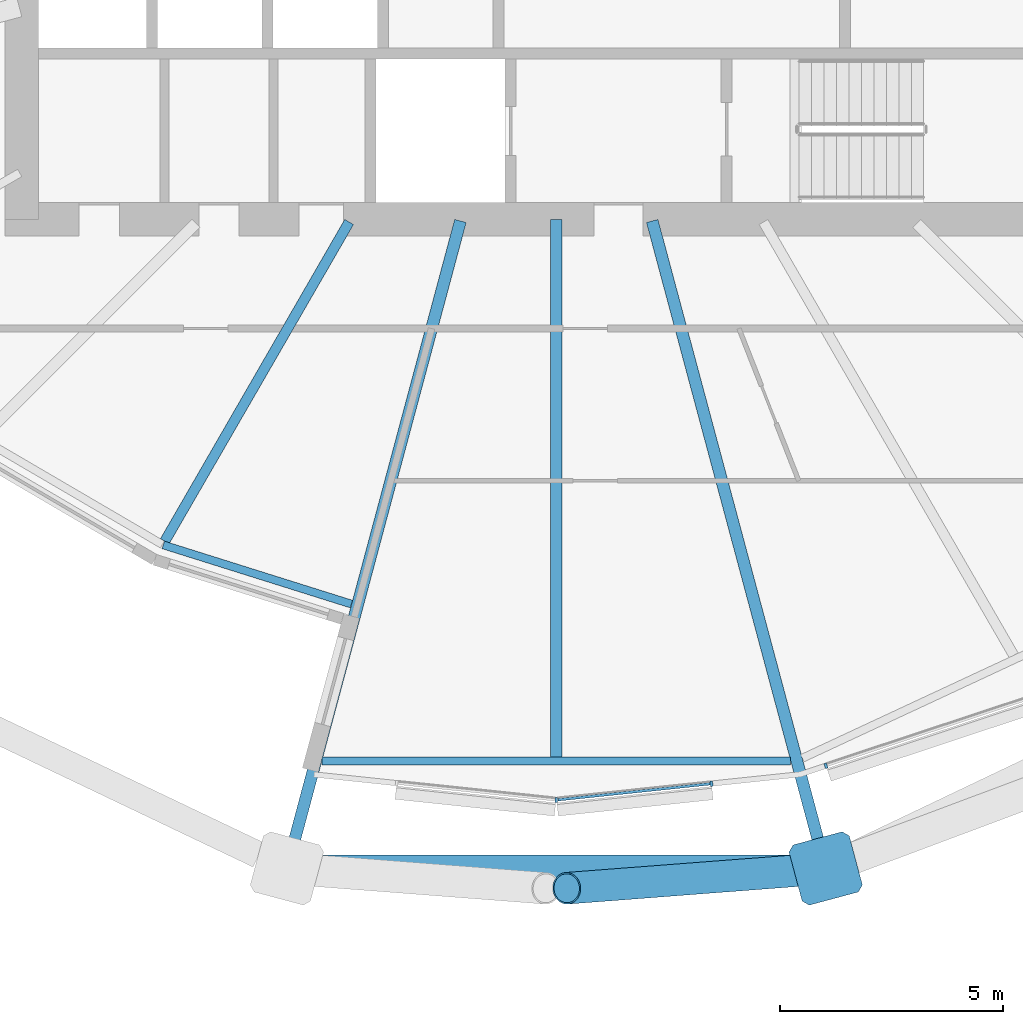
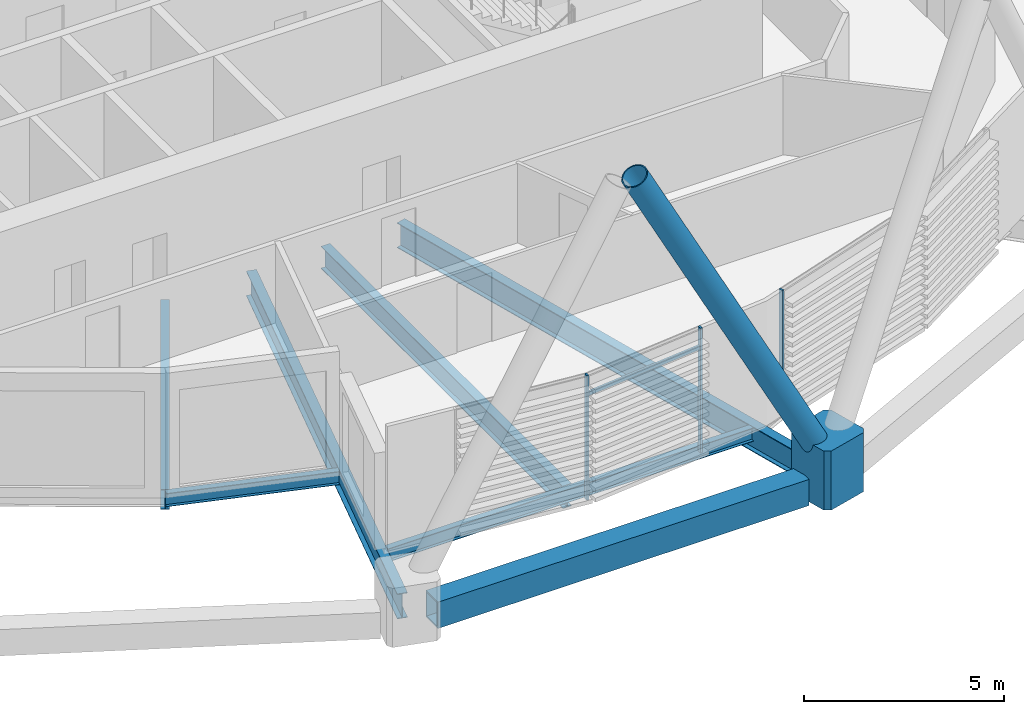
# One storey, part 4 of 38: 7 beams, 6 members, 1 element without a shape of its own.
"""IFC4 building model written with IfcOpenShell, lengths in metres."""

from ifc_helpers import new_model, si_unit, direction, frame, origin, origin_2d, place, context, subcontext, project, spatial, polyline, rectangle, hollow_rectangle, hollow_circle, i_section, outline, extrude, material, material_profile, profile_set, type_object, element, aggregate, save


model = new_model("IFC4")

# Units and contexts
model_context = context("Model", 3, precision=1e-05, world=origin(), true_north=direction((0.0, 1.0)))
body_context = subcontext(model_context, "Body", "Model", "MODEL_VIEW")
ifc_project = project(units=[si_unit("LENGTHUNIT", "METRE"), si_unit("AREAUNIT", "SQUARE_METRE"), si_unit("VOLUMEUNIT", "CUBIC_METRE"), si_unit("PLANEANGLEUNIT", "RADIAN"), si_unit("MASSUNIT", "GRAM", prefix="KILO")], contexts=[model_context])

# Site, building, storey
site_placement = place(None, origin())
site = spatial("IfcSite", under=ifc_project, at=site_placement, CompositionType="ELEMENT")
building_placement = place(site_placement, origin())
building = spatial("IfcBuilding", under=site, at=building_placement, Name="Rimbun Link Towers", CompositionType="ELEMENT")
storey_placement = place(building_placement, frame((0.0, 0.0, 93.0)))
storey = spatial("IfcBuildingStorey", under=building, at=storey_placement, Name="L22", CompositionType="ELEMENT", Elevation=93.0)

# Curtain wall, members
ifc_material_1 = material(Name="Aluminium 6063-T6 and low-iron glass", Category="aluminium")
curtain_wall_type = type_object("IfcCurtainWallType", Name="CW1-Z2 unitised vision wall (zone 2)", PredefinedType="NOTDEFINED", material=ifc_material_1)
curtain_wall_placement = place(storey_placement, origin())
curtain_wall = element("IfcCurtainWall", 1, at=curtain_wall_placement, inside=storey, type_object=curtain_wall_type, Name="CW1 L22 T1", PredefinedType="NOTDEFINED")
ifc_material_2 = material(Name="Aluminium 6063-T6", Category="aluminium")
ifc_material_profile_1 = material_profile(ifc_material_2, rectangle(XDim=0.1201171875, YDim=0.06005859375, at=origin_2d()), Name="MULLION 60X120")
ifc_profile_set_1 = profile_set([ifc_material_profile_1], Name="Aluminium 6063-T6")
member_type_1 = type_object("IfcMemberType", Name="CW1 mullion 60X120", PredefinedType="MULLION", material=ifc_profile_set_1)
member_1_placement = place(storey_placement, frame((-31.75, -21.037109375, 0.0), z_axis=(0.0, 0.0, 1.0), x_axis=(0.0, -1.0, 0.0)))
member_1 = element("IfcMember", 2, at=member_1_placement, type_object=member_type_1, Name="CW1 mullion", PredefinedType="MULLION", context=body_context, shape_type="SweptSolid", body=[
    extrude(rectangle(XDim=0.1201171875, YDim=0.06005859375, at=origin_2d()), origin(), (0.0, 0.0, 1.0), 3.800048828125),
])
member_2_placement = place(storey_placement, frame((-28.26611328125, -20.67041015625, 0.0), z_axis=(0.0, 0.0, 1.0), x_axis=(0.104734976112, -0.994500168315, 0.0)))
member_2 = element("IfcMember", 3, at=member_2_placement, type_object=member_type_1, Name="CW1 mullion", PredefinedType="MULLION", context=body_context, shape_type="SweptSolid", body=[
    extrude(rectangle(XDim=0.1201171875, YDim=0.06005859375, at=origin_2d()), origin(), (0.0, 0.0, 1.0), 3.800048828125),
])
member_3_placement = place(storey_placement, frame((-25.695068359375, -20.26953125, 0.0), z_axis=(0.0, 0.0, 1.0), x_axis=(0.314555783293, -0.949238989505, 0.0)))
member_3 = element("IfcMember", 4, at=member_3_placement, type_object=member_type_1, Name="CW1 mullion", PredefinedType="MULLION", context=body_context, shape_type="SweptSolid", body=[
    extrude(rectangle(XDim=0.1201171875, YDim=0.06005859375, at=origin_2d()), origin(), (0.0, 0.0, 1.0), 3.800048828125),
])
ifc_material_3 = material(Name="Aluminium 6063-T6", Category="aluminium")
ifc_material_profile_2 = material_profile(ifc_material_3, rectangle(XDim=0.06005859375, YDim=0.1201171875, at=origin_2d()), Name="TRANSOM 60X120")
ifc_profile_set_2 = profile_set([ifc_material_profile_2], Name="Aluminium 6063-T6")
member_type_2 = type_object("IfcMemberType", Name="CW1 transom 60X120", PredefinedType="USERDEFINED", material=ifc_profile_set_2)
member_4_placement = place(storey_placement, frame((-28.296142578125, -20.671630859375, 3.199951171875), z_axis=(-0.994503117246, -0.104706971059, 0.0), x_axis=(0.104706971059, -0.994503117246, 0.0)))
member_4 = element("IfcMember", 5, at=member_4_placement, type_object=member_type_2, Name="CW1 transom", ObjectType="TRANSOM", PredefinedType="USERDEFINED", context=body_context, shape_type="SweptSolid", body=[
    extrude(rectangle(XDim=0.06005859375, YDim=0.1201171875, at=origin_2d()), origin(), (0.0, 0.0, 1.0), 3.436767578125),
])
aggregate(curtain_wall, [member_1, member_2, member_3, member_4])

# Members
ifc_material_4 = material(Name="Steel S460NH", Category="steel")
ifc_material_profile_3 = material_profile(ifc_material_4, hollow_circle(Radius=0.355712890625, WallThickness=0.031982421875, at=origin_2d()), Name="Diagrid diagonal CHS 711x32")
ifc_profile_set_3 = profile_set([ifc_material_profile_3], Name="Steel S460NH")
member_type_3 = type_object("IfcMemberType", Name="Diagrid diagonal CHS 711x32", PredefinedType="BRACE", material=ifc_profile_set_3)
member_5_placement = place(storey_placement, frame((-25.935302734375, -22.592529296875, 0.44140625), z_axis=(-0.468418530973, -0.035882441497, 0.882777735465), x_axis=(0.076379604456, -0.99707881134, 0.0)))
element("IfcMember", 6, at=member_5_placement, inside=storey, type_object=member_type_3, Name="Diagrid diagonal T1 L22-L25 19a", PredefinedType="BRACE", context=body_context, shape_type="SweptSolid", body=[
    extrude(hollow_circle(Radius=0.355712890625, WallThickness=0.031982421875, at=origin_2d()), origin(), (0.0, 0.0, 1.0), 11.91357421875),
])
ifc_material_5 = material(Name="Cast steel G20Mn5+QT, Rp0.2 300 MPa", Category="steel")
ifc_material_profile_4 = material_profile(ifc_material_5, outline(polyline([(0.699951171875, -0.570068359375), (0.699951171875, 0.570068359375), (0.570068359375, 0.699951171875), (-0.570068359375, 0.699951171875), (-0.699951171875, 0.570068359375), (-0.699951171875, -0.570068359375), (-0.570068359375, -0.699951171875), (0.570068359375, -0.699951171875), (0.699951171875, -0.570068359375)])), Name="NODE 1400x1400")
ifc_profile_set_4 = profile_set([ifc_material_profile_4], Name="Cast steel G20Mn5+QT, Rp0.2 300 MPa")
member_type_4 = type_object("IfcMemberType", Name="Diagrid node cast 1400", PredefinedType="USERDEFINED", material=ifc_profile_set_4)
member_6_placement = place(storey_placement, frame((-25.701171875, -22.57470703125, -0.89990234375), z_axis=(0.0, 0.0, 1.0), x_axis=(0.258819045103, -0.965925826289, 0.0)))
element("IfcMember", 7, at=member_6_placement, inside=storey, type_object=member_type_4, Name="Diagrid node L22 19", ObjectType="Diagrid node", PredefinedType="USERDEFINED", context=body_context, shape_type="SweptSolid", body=[
    extrude(outline(polyline([(0.699951171875, -0.570068359375), (0.699951171875, 0.570068359375), (0.570068359375, 0.699951171875), (-0.570068359375, 0.699951171875), (-0.699951171875, 0.570068359375), (-0.699951171875, -0.570068359375), (-0.570068359375, -0.699951171875), (0.570068359375, -0.699951171875), (0.699951171875, -0.570068359375)])), origin(), (0.0, 0.0, 1.0), 1.7998046875),
])

# Beams
ifc_material_6 = material(Name="Steel S355J2", Category="steel")
ifc_material_profile_5 = material_profile(ifc_material_6, hollow_rectangle(XDim=0.60009765625, YDim=0.800048828125, WallThickness=0.0400390625, at=origin_2d()), Name="Exoskeleton ring girder BOX 600x800x40")
ifc_profile_set_5 = profile_set([ifc_material_profile_5], Name="Steel S355J2")
beam_type_1 = type_object("IfcBeamType", Name="Exoskeleton ring girder BOX 600x800x40", PredefinedType="BEAM", material=ifc_profile_set_5)
beam_1_placement = place(storey_placement, frame((-37.098876953125, -22.57470703125, -0.56005859375), z_axis=(1.0, 0.0, 0.0), x_axis=(0.0, 1.0, 0.0)))
element("IfcBeam", 8, at=beam_1_placement, inside=storey, type_object=beam_type_1, Name="Exoskeleton ring girder L22 08", PredefinedType="BEAM", context=body_context, shape_type="SweptSolid", body=[
    extrude(hollow_rectangle(XDim=0.60009765625, YDim=0.800048828125, WallThickness=0.0400390625, at=origin_2d()), origin(), (0.0, 0.0, 1.0), 10.69775390625),
])
ifc_material_7 = material(Name="Steel S355J2", Category="steel")
ifc_material_profile_6 = material_profile(ifc_material_7, i_section(OverallWidth=0.177978515625, OverallDepth=0.406494140625, WebThickness=0.0078125, FlangeThickness=0.0126953125, at=origin_2d()), Name="UB 406x178x60")
ifc_profile_set_6 = profile_set([ifc_material_profile_6], Name="Steel S355J2")
beam_type_2 = type_object("IfcBeamType", Name="UB 406x178x60", PredefinedType="BEAM", material=ifc_profile_set_6)
beam_2_placement = place(storey_placement, frame((-40.576416015625, -15.309326171875, -0.36328125), z_axis=(0.953967586406, -0.299909726563, 0.0), x_axis=(0.299909726563, 0.953967586406, 0.0)))
element("IfcBeam", 9, at=beam_2_placement, inside=storey, type_object=beam_type_2, Name="Edge beam T1 L22 16 recess", PredefinedType="BEAM", context=body_context, shape_type="SweptSolid", body=[
    extrude(i_section(OverallWidth=0.177978515625, OverallDepth=0.406494140625, WebThickness=0.0078125, FlangeThickness=0.0126953125, at=origin_2d()), origin(), (0.0, 0.0, 1.0), 4.42919921875),
])
beam_3_placement = place(storey_placement, frame((-37.011962890625, -20.15673828125, -0.36328125), z_axis=(1.0, 0.0, 0.0), x_axis=(0.0, 1.0, 0.0)))
element("IfcBeam", 10, at=beam_3_placement, inside=storey, type_object=beam_type_2, Name="Edge beam T1 L22 17-19", PredefinedType="BEAM", context=body_context, shape_type="SweptSolid", body=[
    extrude(i_section(OverallWidth=0.177978515625, OverallDepth=0.406494140625, WebThickness=0.0078125, FlangeThickness=0.0126953125, at=origin_2d()), origin(), (0.0, 0.0, 1.0), 10.52392578125),
])
ifc_material_8 = material(Name="Steel S355J2", Category="steel")
ifc_material_profile_7 = material_profile(ifc_material_8, i_section(OverallWidth=0.2275390625, OverallDepth=0.6025390625, WebThickness=0.010498046875, FlangeThickness=0.014892578125, at=origin_2d()), Name="UB 610x229x101")
ifc_profile_set_7 = profile_set([ifc_material_profile_7], Name="Steel S355J2")
beam_type_3 = type_object("IfcBeamType", Name="UB 610x229x101", PredefinedType="BEAM", material=ifc_profile_set_7)
beam_4_placement = place(storey_placement, frame((-36.402099609375, -8.057861328125, -0.461181640625), z_axis=(-0.500008344384, -0.866020586098, 0.0), x_axis=(0.866020586098, -0.500008344384, 0.0)))
element("IfcBeam", 11, at=beam_4_placement, inside=storey, type_object=beam_type_3, Name="Radial beam T1 L22 16", PredefinedType="BEAM", context=body_context, shape_type="SweptSolid", body=[
    extrude(i_section(OverallWidth=0.2275390625, OverallDepth=0.6025390625, WebThickness=0.010498046875, FlangeThickness=0.014892578125, at=origin_2d()), origin(), (0.0, 0.0, 1.0), 8.279052734375),
])
ifc_material_9 = material(Name="Steel S355J2", Category="steel")
ifc_material_profile_8 = material_profile(ifc_material_9, i_section(OverallWidth=0.253662109375, OverallDepth=0.68359375, WebThickness=0.012451171875, FlangeThickness=0.01904296875, at=origin_2d()), Name="UB 686x254x140")
ifc_profile_set_8 = profile_set([ifc_material_profile_8], Name="Steel S355J2")
beam_type_4 = type_object("IfcBeamType", Name="UB 686x254x140", PredefinedType="BEAM", material=ifc_profile_set_8)
beam_5_placement = place(storey_placement, frame((-31.75, -8.0009765625, -0.501708984375), z_axis=(0.0, -1.0, 0.0), x_axis=(1.0, 0.0, 0.0)))
element("IfcBeam", 12, at=beam_5_placement, inside=storey, type_object=beam_type_4, Name="Radial beam T1 L22 18", PredefinedType="BEAM", context=body_context, shape_type="SweptSolid", body=[
    extrude(i_section(OverallWidth=0.253662109375, OverallDepth=0.68359375, WebThickness=0.012451171875, FlangeThickness=0.01904296875, at=origin_2d()), origin(), (0.0, 0.0, 1.0), 12.06591796875),
])
ifc_material_10 = material(Name="Steel S355J2", Category="steel")
ifc_material_profile_9 = material_profile(ifc_material_10, i_section(OverallWidth=0.2666015625, OverallDepth=0.76220703125, WebThickness=0.014404296875, FlangeThickness=0.021484375, at=origin_2d()), Name="UB 762x267x173")
ifc_profile_set_9 = profile_set([ifc_material_profile_9], Name="Steel S355J2")
beam_type_5 = type_object("IfcBeamType", Name="UB 762x267x173", PredefinedType="BEAM", material=ifc_profile_set_9)
for number, where, z_axis, x_axis, name in (
    (13, (-33.9033203125, -8.035400390625, -0.541015625), (-0.258804850559, -0.965929629594, 0.0), (0.965929629594, -0.258804850559, 0.0), "Radial beam T1 L22 17"),
    (14, (-29.5966796875, -8.035400390625, -0.541015625), (0.258804850559, -0.965929629594, 0.0), (0.965929629594, 0.258804850559, 0.0), "Radial beam T1 L22 19"),
):
    element("IfcBeam", number, at=place(storey_placement, frame(where, z_axis=z_axis, x_axis=x_axis)), inside=storey, type_object=beam_type_5, Name=name, PredefinedType="BEAM", context=body_context, shape_type="SweptSolid", body=[
        extrude(i_section(OverallWidth=0.2666015625, OverallDepth=0.76220703125, WebThickness=0.014404296875, FlangeThickness=0.021484375, at=origin_2d()), origin(), (0.0, 0.0, 1.0), 14.552001953125),
    ])

save(model, "model.ifc")
